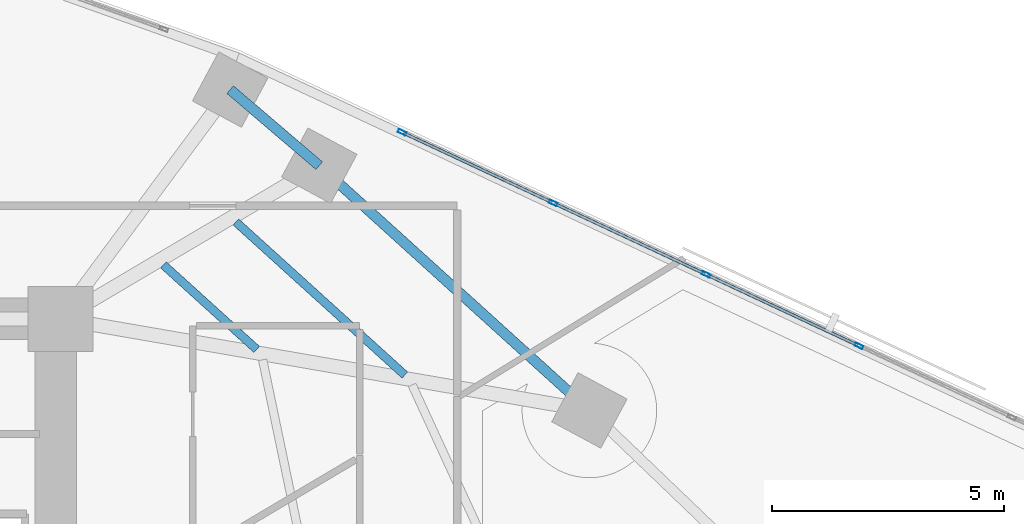
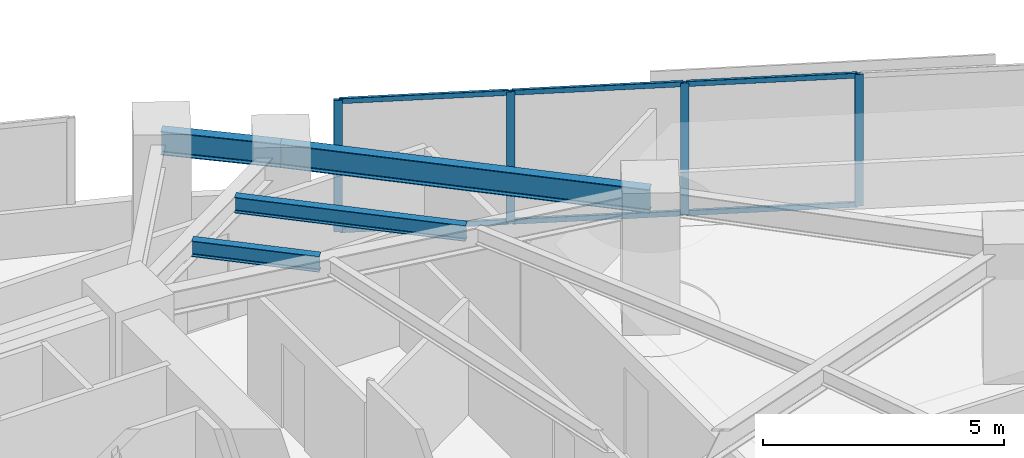
# One storey, part 4 of 16: 10 members, 4 beams, 1 element without a shape of its own.
"""IFC4 building model written with IfcOpenShell, lengths in metres."""

import ifcopenshell
import ifcopenshell.guid

model = None  # the IFC model being written
_history = None  # IfcOwnerHistory: only IFC2X3 demands one
_inside = {}  # id of a spatial element -> (the spatial element, [elements in it])
_under = {}  # id of a project, library or spatial element -> (it, [spatial elements below it])
_declared = {}  # id of a project -> (the project, [libraries it declares])
_typed = {}  # id of a type object -> (the type object, [elements of that type])
_made_of = {}  # id of a material, layer set ... -> (it, [elements and type objects made of it])


def new_model(schema):
    """Start an empty IFC model of exactly this schema.

    Asked for "IFC4X3", IfcOpenShell would pick the latest addendum, in which some entities
    have other attributes; the version numbers below select the first issue.
    IFC2X3 requires an IfcOwnerHistory on every rooted entity: one is made here for all.
    """
    global model, _history
    if schema == "IFC4X3":
        model = ifcopenshell.file(schema_version=(4, 3, 0, 0))
    else:
        model = ifcopenshell.file(schema=schema)
    _inside.clear()
    _under.clear()
    _declared.clear()
    _typed.clear()
    _made_of.clear()
    _history = None
    if model.schema == "IFC2X3":
        org = make("IfcOrganization", Name="unknown")
        user = make(
            "IfcPersonAndOrganization",
            ThePerson=make("IfcPerson", FamilyName="unknown"),
            TheOrganization=org,
        )
        app = make(
            "IfcApplication",
            ApplicationDeveloper=org,
            Version="unknown",
            ApplicationFullName="unknown",
            ApplicationIdentifier="unknown",
        )
        _history = make(
            "IfcOwnerHistory",
            OwningUser=user,
            OwningApplication=app,
            ChangeAction="ADDED",
            CreationDate=0,
        )
    return model


def make(cls, **values):
    """One entity of the class cls with the attributes given. An attribute that is None is left unset."""
    return model.create_entity(
        cls, **{name: value for name, value in values.items() if value is not None}
    )


def rooted(cls, **values):
    """An entity with a GlobalId (a new one), such as an element, a storey or a relation."""
    return make(cls, GlobalId=ifcopenshell.guid.new(), OwnerHistory=_history, **values)


def si_unit(unit_type, name, prefix=None):
    """IfcSIUnit, for example si_unit("LENGTHUNIT", "METRE", prefix="MILLI")."""
    return make("IfcSIUnit", UnitType=unit_type, Prefix=prefix, Name=name)


def assignment(units):
    """IfcUnitAssignment: the units of a project."""
    return None if units is None else make("IfcUnitAssignment", Units=units)


def point(xyz):
    """IfcCartesianPoint."""
    return None if xyz is None else make("IfcCartesianPoint", Coordinates=xyz)


def direction(xyz):
    """IfcDirection."""
    return None if xyz is None else make("IfcDirection", DirectionRatios=xyz)


def frame(location, z_axis=None, x_axis=None):
    """IfcAxis2Placement3D, a coordinate frame: its origin and axes. An axis left out is left unset."""
    return make(
        "IfcAxis2Placement3D",
        Location=point(location),
        Axis=direction(z_axis),
        RefDirection=direction(x_axis),
    )


def frame_2d(location, x_axis=None):
    """IfcAxis2Placement2D, a coordinate frame in the plane: its origin and x axis."""
    return make(
        "IfcAxis2Placement2D", Location=point(location), RefDirection=direction(x_axis)
    )


def origin():
    """The frame at (0, 0, 0) with its axes left unset."""
    return frame((0.0, 0.0, 0.0))


def origin_2d():
    """The frame at (0, 0) in the plane with its x axis left unset."""
    return frame_2d((0.0, 0.0))


def place(relative_to, where):
    """IfcLocalPlacement: puts the frame where relative to a parent placement (None: the world)."""
    return make(
        "IfcLocalPlacement", PlacementRelTo=relative_to, RelativePlacement=where
    )


def context(
    kind, dimensions, precision=None, world=None, true_north=None, identifier=None
):
    """IfcGeometricRepresentationContext, for example the 3D "Model" context."""
    return make(
        "IfcGeometricRepresentationContext",
        ContextIdentifier=identifier,
        ContextType=kind,
        CoordinateSpaceDimension=dimensions,
        Precision=precision,
        WorldCoordinateSystem=world,
        TrueNorth=true_north,
    )


def subcontext(parent, identifier, kind, view, scale=None):
    """IfcGeometricRepresentationSubContext, for example "Body" below "Model"."""
    return make(
        "IfcGeometricRepresentationSubContext",
        ContextIdentifier=identifier,
        ContextType=kind,
        ParentContext=parent,
        TargetScale=scale,
        TargetView=view,
    )


def project(units=None, contexts=None):
    """IfcProject with its units and contexts."""
    return rooted(
        "IfcProject",
        Name="project",
        RepresentationContexts=contexts,
        UnitsInContext=assignment(units),
    )


def spatial(cls, under=None, at=None, **own):
    """A site, building, storey or space (cls), placed at a placement, below another one or the project."""
    s = rooted(cls, ObjectPlacement=at, **own)
    if under is not None:
        _under.setdefault(under.id(), (under, []))[1].append(s)
    return s


def profile(cls, at=None, kind="AREA", **sizes):
    """A parametric profile (cls). Its sizes go by their IFC names, for example OverallWidth=200.0."""
    return make(cls, ProfileType=kind, Position=at, **sizes)


def hollow_rectangle(**sizes):
    """IfcRectangleHollowProfileDef."""
    return profile("IfcRectangleHollowProfileDef", **sizes)


def i_section(**sizes):
    """IfcIShapeProfileDef."""
    return profile("IfcIShapeProfileDef", **sizes)


def extrude(swept, where, along, depth):
    """IfcExtrudedAreaSolid: the profile swept, set in the frame where, extruded along a direction by depth."""
    return make(
        "IfcExtrudedAreaSolid",
        SweptArea=swept,
        Position=where,
        ExtrudedDirection=direction(along),
        Depth=depth,
    )


def shape(context_of_items, identifier, shape_type, items):
    """IfcShapeRepresentation: the items that make up one representation, for example the "Body"."""
    return make(
        "IfcShapeRepresentation",
        ContextOfItems=context_of_items,
        RepresentationIdentifier=identifier,
        RepresentationType=shape_type,
        Items=items,
    )


def material(Name=None, Category=None):
    """IfcMaterial."""
    return make("IfcMaterial", Name=Name, Category=Category)


def material_profile(
    of_material, cross_section, Name=None, Category=None, Priority=None
):
    """IfcMaterialProfile: a cross section and its material."""
    return make(
        "IfcMaterialProfile",
        Name=Name,
        Material=of_material,
        Profile=cross_section,
        Priority=Priority,
        Category=Category,
    )


def profile_set(profiles, Name=None, composite=None):
    """IfcMaterialProfileSet."""
    return make(
        "IfcMaterialProfileSet",
        Name=Name,
        MaterialProfiles=profiles,
        CompositeProfile=composite,
    )


def made_of(thing, what):
    """Note that an element or type object is made of a material, layer set ...; save() writes the relation."""
    if what is not None:
        _made_of.setdefault(what.id(), (what, []))[1].append(thing)
    return thing


def type_object(cls, material=None, **own):
    """A type object (cls), such as IfcWallType, which elements share."""
    return made_of(rooted(cls, **own), material)


def element(
    cls,
    number,
    at=None,
    inside=None,
    cuts=None,
    type_object=None,
    material=None,
    context=None,
    identifier="Body",
    shape_type=None,
    held_by="IfcProductDefinitionShape",
    body=None,
    shapes=None,
    **own,
):
    """One element of the class cls, such as IfcWall. Its Tag is "e" and its number.

    at: its placement. inside: the storey or other place that contains it. cuts: it is an
    opening in that element (IfcRelVoidsElement). A single representation is given by context,
    identifier, shape_type and body (its items); several are given by shapes. held_by: the class
    of the entity that holds the representations. save() writes the other relations.
    """
    e = rooted(cls, Tag="e%d" % number, ObjectPlacement=at, **own)
    if body is not None:
        shapes = [shape(context, identifier, shape_type, body)]
    if shapes is not None:
        e.Representation = make(held_by, Representations=shapes)
    if inside is not None:
        _inside.setdefault(inside.id(), (inside, []))[1].append(e)
    if cuts is not None:
        rooted(
            "IfcRelVoidsElement", RelatingBuildingElement=cuts, RelatedOpeningElement=e
        )
    if type_object is not None:
        _typed.setdefault(type_object.id(), (type_object, []))[1].append(e)
    return made_of(e, material)


def aggregate(whole, parts):
    """IfcRelAggregates: a whole, such as a stair, and the parts it consists of."""
    return rooted("IfcRelAggregates", RelatingObject=whole, RelatedObjects=parts)


def save(model, path):
    """Write the relations noted so far, then the file.

    IfcRelAggregates (storeys below a building ...), IfcRelContainedInSpatialStructure (elements
    in a storey), IfcRelDefinesByType, IfcRelAssociatesMaterial and IfcRelDeclares: one each for
    every whole, place, type object, material and project.
    """
    for whole, parts in _under.values():
        aggregate(whole, parts)
    for where, things in _inside.values():
        rooted(
            "IfcRelContainedInSpatialStructure",
            RelatedElements=things,
            RelatingStructure=where,
        )
    for kind, things in _typed.values():
        rooted("IfcRelDefinesByType", RelatedObjects=things, RelatingType=kind)
    for what, things in _made_of.values():
        rooted("IfcRelAssociatesMaterial", RelatedObjects=things, RelatingMaterial=what)
    for by, libraries in _declared.values():
        rooted("IfcRelDeclares", RelatingContext=by, RelatedDefinitions=libraries)
    model.write(path)


model = new_model("IFC4")

# Units and contexts
model_context = context("Model", 3, precision=1e-05, world=origin(), true_north=direction((0.0, 1.0)))
body_context = subcontext(model_context, "Body", "Model", "MODEL_VIEW")
ifc_project = project(units=[si_unit("LENGTHUNIT", "METRE"), si_unit("AREAUNIT", "SQUARE_METRE"), si_unit("VOLUMEUNIT", "CUBIC_METRE"), si_unit("PLANEANGLEUNIT", "RADIAN"), si_unit("MASSUNIT", "GRAM", prefix="KILO")], contexts=[model_context])

# Site, building, storey
site_placement = place(None, origin())
site = spatial("IfcSite", under=ifc_project, at=site_placement, CompositionType="ELEMENT")
building_placement = place(site_placement, origin())
building = spatial("IfcBuilding", under=site, at=building_placement, Name="Narakoshi Arena Tower", CompositionType="ELEMENT")
storey_placement = place(building_placement, frame((0.0, 0.0, 153.89990234375)))
storey = spatial("IfcBuildingStorey", under=building, at=storey_placement, Name="L41", CompositionType="ELEMENT", Elevation=153.89990234375)

# Beams
ifc_material_1 = material(Name="Structural steel S355J2", Category="steel")
ifc_material_profile_1 = material_profile(ifc_material_1, i_section(OverallWidth=0.219970703125, OverallDepth=0.60009765625, WebThickness=0.011962890625, FlangeThickness=0.01904296875, FilletRadius=0.02392578125, at=origin_2d()), Name="IPE600")
ifc_profile_set_1 = profile_set([ifc_material_profile_1], Name="Structural steel S355J2")
beam_type_1 = type_object("IfcBeamType", Name="BM-EDGE-600", PredefinedType="BEAM", material=ifc_profile_set_1)
beam_1_placement = place(storey_placement, frame((96.9443359375, 54.528076171875, 3.0400390625), z_axis=(-0.741140720169, 0.671349709844, 0.0), x_axis=(-0.671349709844, -0.741140720169, 0.0)))
element("IfcBeam", 1, at=beam_1_placement, inside=storey, type_object=beam_type_1, Name="L41 Perimeter Edge Girder 06", PredefinedType="BEAM", context=body_context, shape_type="SweptSolid", body=[
    extrude(i_section(OverallWidth=0.219970703125, OverallDepth=0.60009765625, WebThickness=0.011962890625, FlangeThickness=0.01904296875, FilletRadius=0.02392578125, at=origin_2d()), origin(), (0.0, 0.0, 1.0), 7.849853515625),
])
beam_2_placement = place(storey_placement, frame((91.12646484375, 59.798095703125, 3.0400390625), z_axis=(-0.760388602298, 0.649468377595, 0.0), x_axis=(-0.649468377595, -0.760388602298, 0.0)))
element("IfcBeam", 2, at=beam_2_placement, inside=storey, type_object=beam_type_1, Name="L41 Perimeter Edge Girder 07", PredefinedType="BEAM", context=body_context, shape_type="SweptSolid", body=[
    extrude(i_section(OverallWidth=0.219970703125, OverallDepth=0.60009765625, WebThickness=0.011962890625, FlangeThickness=0.01904296875, FilletRadius=0.02392578125, at=origin_2d()), origin(), (0.0, 0.0, 1.0), 2.524658203125),
])
ifc_material_profile_2 = material_profile(ifc_material_1, i_section(OverallWidth=0.179931640625, OverallDepth=0.39990234375, WebThickness=0.008544921875, FlangeThickness=0.013427734375, FilletRadius=0.02099609375, at=origin_2d()), Name="IPE400")
ifc_profile_set_2 = profile_set([ifc_material_profile_2], Name="Structural steel S355J2")
beam_type_2 = type_object("IfcBeamType", Name="BM-SEC-400", PredefinedType="JOIST", material=ifc_profile_set_2)
beam_3_placement = place(storey_placement, frame((89.77978515625, 55.84130859375, 3.14013671875), z_axis=(-0.741160441586, 0.671327937619, 0.0), x_axis=(-0.671327937619, -0.741160441586, 0.0)))
element("IfcBeam", 3, at=beam_3_placement, inside=storey, type_object=beam_type_2, Name="L41 Composite Secondary Floor Joist 05", PredefinedType="JOIST", context=body_context, shape_type="SweptSolid", body=[
    extrude(i_section(OverallWidth=0.179931640625, OverallDepth=0.39990234375, WebThickness=0.008544921875, FlangeThickness=0.013427734375, FilletRadius=0.02099609375, at=origin_2d()), origin(), (0.0, 0.0, 1.0), 2.712890625),
])
beam_4_placement = place(storey_placement, frame((92.97021484375, 55.289306640625, 3.14013671875), z_axis=(-0.741144631446, 0.67134539194, 0.0), x_axis=(-0.67134539194, -0.741144631446, 0.0)))
element("IfcBeam", 4, at=beam_4_placement, inside=storey, type_object=beam_type_2, Name="L41 Composite Secondary Floor Joist 06", PredefinedType="JOIST", context=body_context, shape_type="SweptSolid", body=[
    extrude(i_section(OverallWidth=0.179931640625, OverallDepth=0.39990234375, WebThickness=0.008544921875, FlangeThickness=0.013427734375, FilletRadius=0.02099609375, at=origin_2d()), origin(), (0.0, 0.0, 1.0), 4.910888671875),
])

# Curtain wall, members
ifc_material_2 = material(Name="Anodised bronze aluminium 6063-T6", Category="aluminium")
curtain_wall_type = type_object("IfcCurtainWallType", Name="CW-HYP-MID", PredefinedType="NOTDEFINED", material=ifc_material_2)
curtain_wall_placement = place(storey_placement, origin())
curtain_wall = element("IfcCurtainWall", 5, at=curtain_wall_placement, inside=storey, type_object=curtain_wall_type, Name="L41 Folded Hypotenuse Curtain Wall 1-1", PredefinedType="NOTDEFINED")
ifc_material_profile_3 = material_profile(ifc_material_2, hollow_rectangle(XDim=0.074951171875, YDim=0.179931640625, WallThickness=0.00390625, OuterFilletRadius=0.0048828125, at=origin_2d()), Name="MUL180x75x4")
ifc_profile_set_3 = profile_set([ifc_material_profile_3], Name="Anodised bronze aluminium 6063-T6")
member_type_1 = type_object("IfcMemberType", Name="MEM-MUL-180", PredefinedType="MULLION", material=ifc_profile_set_3)
member_1_placement = place(storey_placement, frame((102.75048828125, 55.917236328125, 0.0), z_axis=(0.0, 0.0, 1.0), x_axis=(-0.423531721612, -0.905881273009, 0.0)))
member_1 = element("IfcMember", 6, at=member_1_placement, type_object=member_type_1, Name="CW-02 mullion 6", PredefinedType="MULLION", context=body_context, shape_type="SweptSolid", body=[
    extrude(hollow_rectangle(XDim=0.074951171875, YDim=0.179931640625, WallThickness=0.00390625, OuterFilletRadius=0.0048828125, at=origin_2d()), origin(), (0.0, 0.0, 1.0), 3.340087890625),
])
member_2_placement = place(storey_placement, frame((99.458984375, 57.4560546875, 0.0), z_axis=(0.0, 0.0, 1.0), x_axis=(-0.423531721612, -0.905881273009, 0.0)))
member_2 = element("IfcMember", 7, at=member_2_placement, type_object=member_type_1, Name="CW-02 mullion 7", PredefinedType="MULLION", context=body_context, shape_type="SweptSolid", body=[
    extrude(hollow_rectangle(XDim=0.074951171875, YDim=0.179931640625, WallThickness=0.00390625, OuterFilletRadius=0.0048828125, at=origin_2d()), origin(), (0.0, 0.0, 1.0), 3.340087890625),
])
member_3_placement = place(storey_placement, frame((96.16748046875, 58.994873046875, 0.0), z_axis=(0.0, 0.0, 1.0), x_axis=(-0.423531721612, -0.905881273009, 0.0)))
member_3 = element("IfcMember", 8, at=member_3_placement, type_object=member_type_1, Name="CW-02 mullion 8", PredefinedType="MULLION", context=body_context, shape_type="SweptSolid", body=[
    extrude(hollow_rectangle(XDim=0.074951171875, YDim=0.179931640625, WallThickness=0.00390625, OuterFilletRadius=0.0048828125, at=origin_2d()), origin(), (0.0, 0.0, 1.0), 3.340087890625),
])
member_4_placement = place(storey_placement, frame((92.91015625, 60.517822265625, 0.0), z_axis=(0.0, 0.0, 1.0), x_axis=(-0.423531721612, -0.905881273009, 0.0)))
member_4 = element("IfcMember", 9, at=member_4_placement, type_object=member_type_1, Name="CW-02 mullion 9", PredefinedType="MULLION", context=body_context, shape_type="SweptSolid", body=[
    extrude(hollow_rectangle(XDim=0.074951171875, YDim=0.179931640625, WallThickness=0.00390625, OuterFilletRadius=0.0048828125, at=origin_2d()), origin(), (0.0, 0.0, 1.0), 3.340087890625),
])
ifc_material_profile_4 = material_profile(ifc_material_2, hollow_rectangle(XDim=0.06494140625, YDim=0.1298828125, WallThickness=0.00390625, OuterFilletRadius=0.0048828125, at=origin_2d()), Name="TRN130x65x4")
ifc_profile_set_4 = profile_set([ifc_material_profile_4], Name="Anodised bronze aluminium 6063-T6")
member_type_2 = type_object("IfcMemberType", Name="MEM-TRN-130", PredefinedType="USERDEFINED", material=ifc_profile_set_4)
member_5_placement = place(storey_placement, frame((102.716552734375, 55.93310546875, 0.03271484375), z_axis=(-0.905877908574, 0.423538917642, 0.0), x_axis=(-0.423538917642, -0.905877908574, 0.0)))
member_5 = element("IfcMember", 10, at=member_5_placement, type_object=member_type_2, Name="CW-02 transom 6.1", ObjectType="TRANSOM", PredefinedType="USERDEFINED", context=body_context, shape_type="SweptSolid", body=[
    extrude(hollow_rectangle(XDim=0.06494140625, YDim=0.1298828125, WallThickness=0.00390625, OuterFilletRadius=0.0048828125, at=origin_2d()), origin(), (0.0, 0.0, 1.0), 3.558349609375),
])
member_6_placement = place(storey_placement, frame((102.716552734375, 55.93310546875, 3.3076171875), z_axis=(-0.905877908574, 0.423538917642, 0.0), x_axis=(-0.423538917642, -0.905877908574, 0.0)))
member_6 = element("IfcMember", 11, at=member_6_placement, type_object=member_type_2, Name="CW-02 transom 6.2", ObjectType="TRANSOM", PredefinedType="USERDEFINED", context=body_context, shape_type="SweptSolid", body=[
    extrude(hollow_rectangle(XDim=0.06494140625, YDim=0.1298828125, WallThickness=0.00390625, OuterFilletRadius=0.0048828125, at=origin_2d()), origin(), (0.0, 0.0, 1.0), 3.558349609375),
])
member_7_placement = place(storey_placement, frame((99.425048828125, 57.471923828125, 0.03271484375), z_axis=(-0.905877908574, 0.423538917642, 0.0), x_axis=(-0.423538917642, -0.905877908574, 0.0)))
member_7 = element("IfcMember", 12, at=member_7_placement, type_object=member_type_2, Name="CW-02 transom 7.1", ObjectType="TRANSOM", PredefinedType="USERDEFINED", context=body_context, shape_type="SweptSolid", body=[
    extrude(hollow_rectangle(XDim=0.06494140625, YDim=0.1298828125, WallThickness=0.00390625, OuterFilletRadius=0.0048828125, at=origin_2d()), origin(), (0.0, 0.0, 1.0), 3.558349609375),
])
member_8_placement = place(storey_placement, frame((99.425048828125, 57.471923828125, 3.3076171875), z_axis=(-0.905877908574, 0.423538917642, 0.0), x_axis=(-0.423538917642, -0.905877908574, 0.0)))
member_8 = element("IfcMember", 13, at=member_8_placement, type_object=member_type_2, Name="CW-02 transom 7.2", ObjectType="TRANSOM", PredefinedType="USERDEFINED", context=body_context, shape_type="SweptSolid", body=[
    extrude(hollow_rectangle(XDim=0.06494140625, YDim=0.1298828125, WallThickness=0.00390625, OuterFilletRadius=0.0048828125, at=origin_2d()), origin(), (0.0, 0.0, 1.0), 3.558349609375),
])
member_9_placement = place(storey_placement, frame((96.133544921875, 59.0107421875, 0.03271484375), z_axis=(-0.9058782068, 0.423538279787, 0.0), x_axis=(-0.423538279787, -0.9058782068, 0.0)))
member_9 = element("IfcMember", 14, at=member_9_placement, type_object=member_type_2, Name="CW-02 transom 8.1", ObjectType="TRANSOM", PredefinedType="USERDEFINED", context=body_context, shape_type="SweptSolid", body=[
    extrude(hollow_rectangle(XDim=0.06494140625, YDim=0.1298828125, WallThickness=0.00390625, OuterFilletRadius=0.0048828125, at=origin_2d()), origin(), (0.0, 0.0, 1.0), 3.520751953125),
])
member_10_placement = place(storey_placement, frame((96.133544921875, 59.0107421875, 3.3076171875), z_axis=(-0.9058782068, 0.423538279787, 0.0), x_axis=(-0.423538279787, -0.9058782068, 0.0)))
member_10 = element("IfcMember", 15, at=member_10_placement, type_object=member_type_2, Name="CW-02 transom 8.2", ObjectType="TRANSOM", PredefinedType="USERDEFINED", context=body_context, shape_type="SweptSolid", body=[
    extrude(hollow_rectangle(XDim=0.06494140625, YDim=0.1298828125, WallThickness=0.00390625, OuterFilletRadius=0.0048828125, at=origin_2d()), origin(), (0.0, 0.0, 1.0), 3.520751953125),
])
aggregate(curtain_wall, [member_1, member_2, member_3, member_4, member_5, member_6, member_7, member_8, member_9, member_10])

save(model, "model.ifc")
